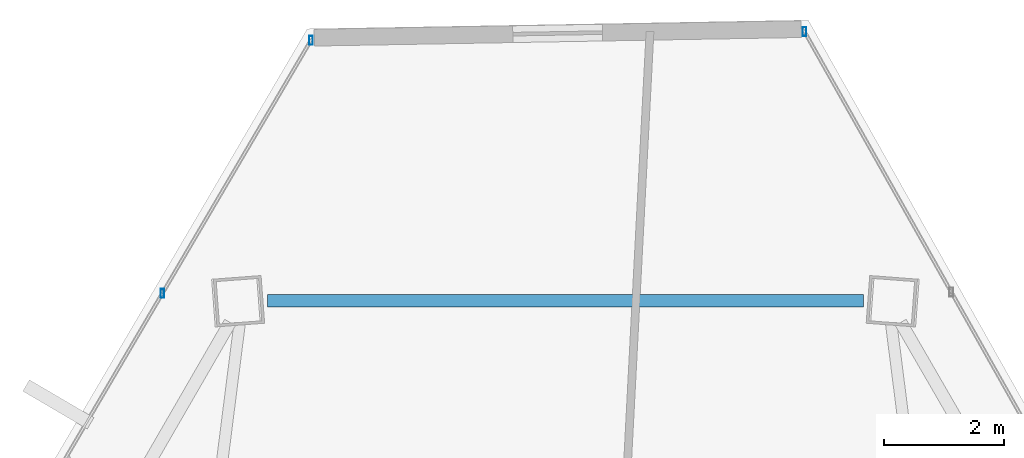
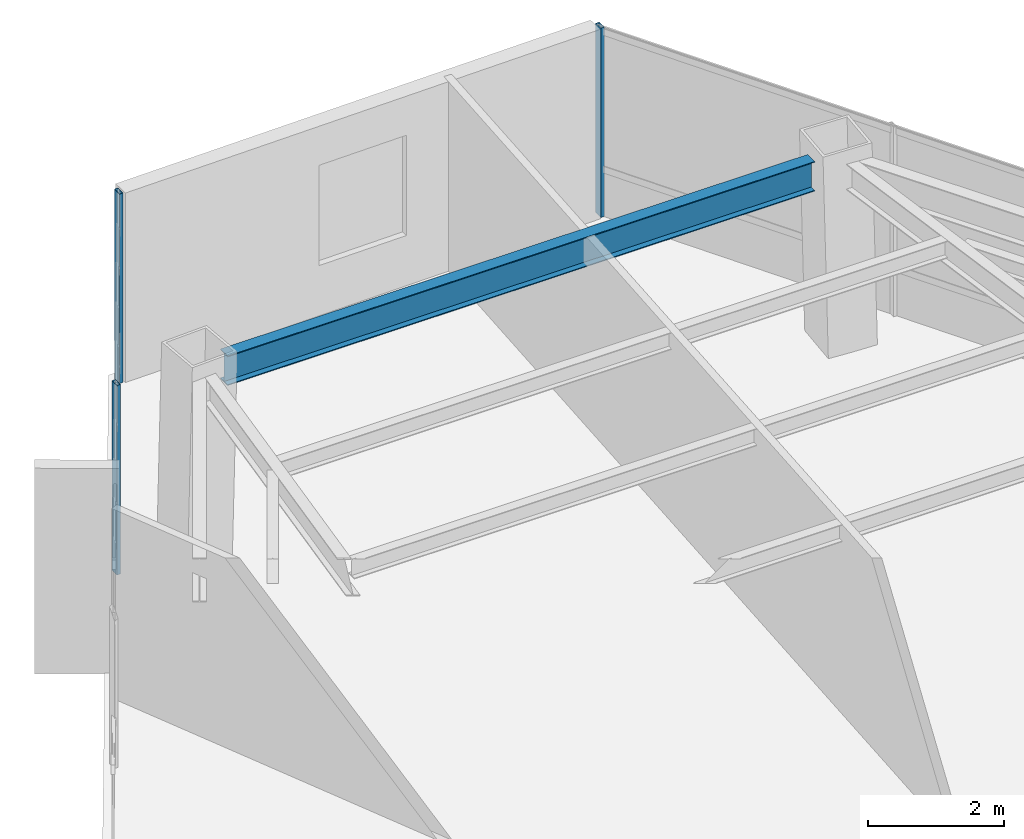
# One storey, part 29 of 42: 3 members, 1 beam, 2 elements without a shape of their own.
"""IFC4 building model written with IfcOpenShell, lengths in metres."""

from ifc_helpers import new_model, si_unit, direction, frame, origin, origin_2d, place, context, subcontext, project, spatial, hollow_rectangle, i_section, extrude, source, transform, mapped, material, material_profile, profile_set, type_object, type_shapes, element, aggregate, save


model = new_model("IFC4")

# Units and contexts
model_context = context("Model", 3, precision=1e-05, world=origin(), true_north=direction((0.0, 1.0)))
body_context = subcontext(model_context, "Body", "Model", "MODEL_VIEW")
ifc_project = project(units=[si_unit("LENGTHUNIT", "METRE"), si_unit("AREAUNIT", "SQUARE_METRE"), si_unit("VOLUMEUNIT", "CUBIC_METRE"), si_unit("PLANEANGLEUNIT", "RADIAN"), si_unit("MASSUNIT", "GRAM", prefix="KILO")], contexts=[model_context])

# Site, building, storey
site_placement = place(None, origin())
site = spatial("IfcSite", under=ifc_project, at=site_placement, CompositionType="ELEMENT")
building_placement = place(site_placement, origin())
building = spatial("IfcBuilding", under=site, at=building_placement, Name="Caelisora Broadcast Tower", CompositionType="ELEMENT")
storey_placement = place(building_placement, frame((0.0, 0.0, 187.699951171875)))
storey = spatial("IfcBuildingStorey", under=building, at=storey_placement, Name="L49", CompositionType="ELEMENT", Elevation=187.699951171875)

# Beam
ifc_material_1 = material(Name="Steel Grade 350 (AS/NZS 3679.1)", Category="steel")
ifc_material_profile_1 = material_profile(ifc_material_1, i_section(OverallWidth=0.208984375, OverallDepth=0.532958984375, WebThickness=0.01025390625, FlangeThickness=0.015625, at=origin_2d()), Name="Steel Grade 350 (AS/NZS 3679.1)")
ifc_profile_set_1 = profile_set([ifc_material_profile_1], Name="Steel Grade 350 (AS/NZS 3679.1)")
beam_type = type_object("IfcBeamType", Name="PG05", PredefinedType="BEAM", material=ifc_profile_set_1)
shared_shape_1 = source(origin(), body_context, "Body", "SweptSolid", [
    extrude(i_section(OverallWidth=0.208984375, OverallDepth=0.532958984375, WebThickness=0.01025390625, FlangeThickness=0.015625, at=origin_2d()), origin(), (0.0, 0.0, 1.0), 9.9677734375),
])
type_shapes(beam_type, [shared_shape_1])
beam_placement = place(storey_placement, frame((42.98388671875, 46.560302734375, 3.133544921875), z_axis=(-1.0, 0.0, 0.0), x_axis=(0.0, -1.0, 0.0)))
element("IfcBeam", 1, at=beam_placement, inside=storey, type_object=beam_type, Name="L49 beam PG05", PredefinedType="BEAM", context=body_context, shape_type="MappedRepresentation", body=[
    mapped(shared_shape_1, transform((0.0, 0.0, 0.0), scale=1.0)),
])

# Curtain wall, member
ifc_material_2 = material(Name="Unitised Aluminium and Low-E Glass Curtain Wall", Category="glass")
curtain_wall_type = type_object("IfcCurtainWallType", Name="CW-Z4", PredefinedType="NOTDEFINED", material=ifc_material_2)
curtain_wall_1_placement = place(storey_placement, origin())
curtain_wall_1 = element("IfcCurtainWall", 2, at=curtain_wall_1_placement, inside=storey, type_object=curtain_wall_type, Name="L49 curtain wall CW-Z4", PredefinedType="NOTDEFINED")
ifc_material_3 = material(Name="Aluminium 6063-T6 Anodised Terracotta Bronze", Category="aluminium")
ifc_material_profile_2 = material_profile(ifc_material_3, hollow_rectangle(XDim=0.06005859375, YDim=0.14990234375, WallThickness=0.00341796875, at=origin_2d()), Name="Aluminium 6063-T6 Anodised Terracotta Bronze")
ifc_profile_set_2 = profile_set([ifc_material_profile_2], Name="Aluminium 6063-T6 Anodised Terracotta Bronze")
member_type = type_object("IfcMemberType", Name="CWM-03", PredefinedType="MULLION", material=ifc_profile_set_2)
shared_shape_2 = source(origin(), body_context, "Body", "SweptSolid", [
    extrude(hollow_rectangle(XDim=0.06005859375, YDim=0.14990234375, WallThickness=0.00341796875, at=origin_2d()), origin(), (0.0, 0.0, 1.0), 3.400146484375),
])
type_shapes(member_type, [shared_shape_2])
member_1_placement = place(storey_placement, frame((41.99853515625, 51.0625, 0.0), z_axis=(0.0, 0.0, 1.0), x_axis=(1.0, 0.0, 0.0)))
member_1 = element("IfcMember", 3, at=member_1_placement, type_object=member_type, Name="L49-CW-B01 mullion #0", PredefinedType="MULLION", context=body_context, shape_type="MappedRepresentation", body=[
    mapped(shared_shape_2, transform((0.0, 0.0, 0.0), scale=1.0)),
])
aggregate(curtain_wall_1, [member_1])

# Curtain wall, members
curtain_wall_2_placement = place(storey_placement, origin())
curtain_wall_2 = element("IfcCurtainWall", 4, at=curtain_wall_2_placement, inside=storey, type_object=curtain_wall_type, Name="L49 curtain wall CW-Z4", PredefinedType="NOTDEFINED")
member_2_placement = place(storey_placement, frame((31.26025390625, 46.68603515625, 0.0), z_axis=(0.0, 0.0, 1.0), x_axis=(1.0, 0.0, 0.0)))
member_2 = element("IfcMember", 5, at=member_2_placement, type_object=member_type, Name="L49-CW-B11 mullion #2", PredefinedType="MULLION", context=body_context, shape_type="MappedRepresentation", body=[
    mapped(shared_shape_2, transform((0.0, 0.0, 0.0), scale=1.0)),
])
member_3_placement = place(storey_placement, frame((33.74560546875, 50.9189453125, 0.0), z_axis=(0.0, 0.0, 1.0), x_axis=(1.0, 0.0, 0.0)))
member_3 = element("IfcMember", 6, at=member_3_placement, type_object=member_type, Name="L49-CW-B11 mullion #3", PredefinedType="MULLION", context=body_context, shape_type="MappedRepresentation", body=[
    mapped(shared_shape_2, transform((0.0, 0.0, 0.0), scale=1.0)),
])
aggregate(curtain_wall_2, [member_2, member_3])

save(model, "model.ifc")
